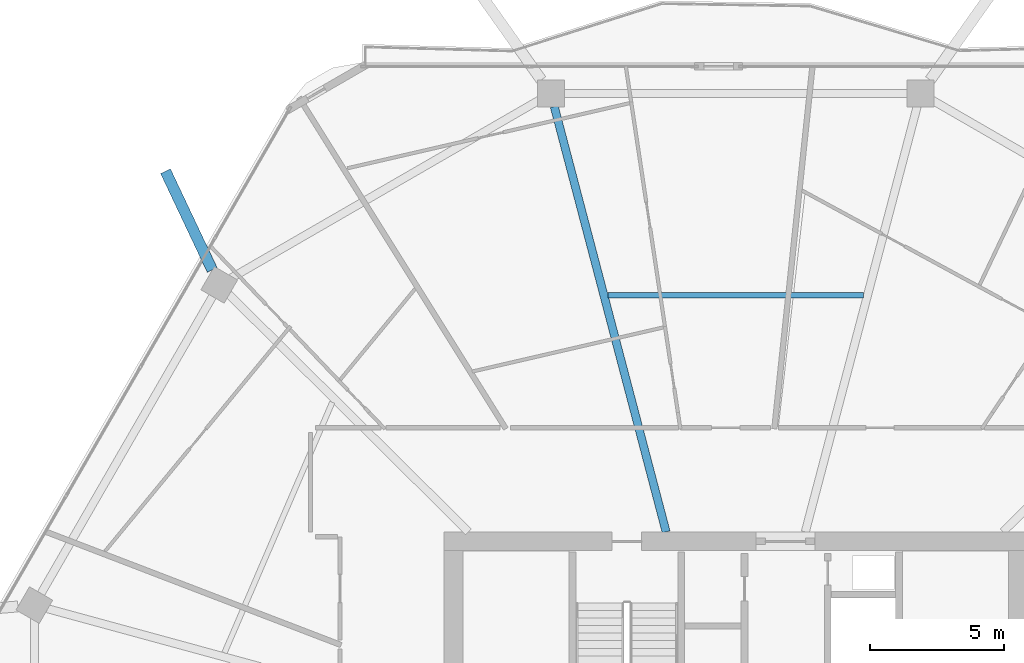
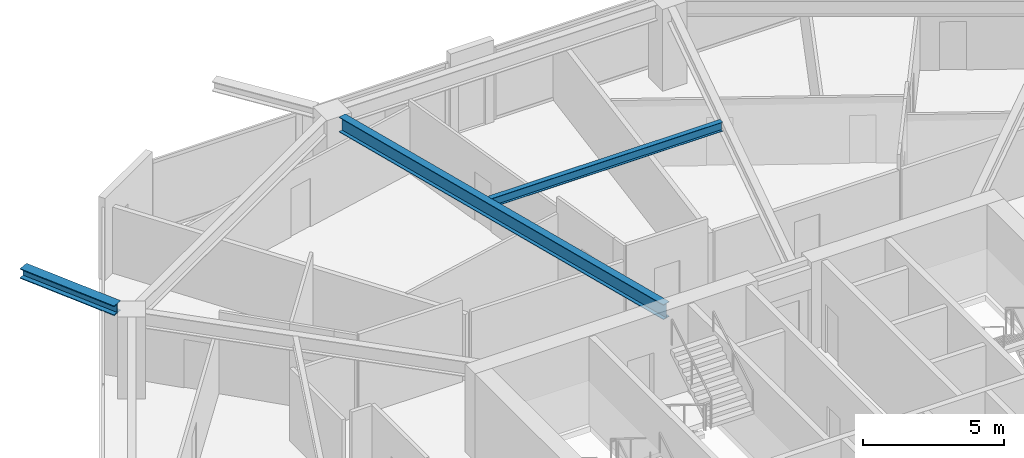
# One storey, part 12 of 27: 3 beams.
"""IFC4 building model written with IfcOpenShell, lengths in metres."""

from ifc_helpers import new_model, si_unit, direction, frame, origin, origin_2d, place, context, subcontext, project, spatial, i_section, extrude, material, material_profile, profile_set, type_object, element, save


model = new_model("IFC4")

# Units and contexts
model_context = context("Model", 3, precision=1e-05, world=origin(), true_north=direction((0.0, 1.0)))
body_context = subcontext(model_context, "Body", "Model", "MODEL_VIEW")
ifc_project = project(units=[si_unit("LENGTHUNIT", "METRE"), si_unit("AREAUNIT", "SQUARE_METRE"), si_unit("VOLUMEUNIT", "CUBIC_METRE"), si_unit("PLANEANGLEUNIT", "RADIAN"), si_unit("MASSUNIT", "GRAM", prefix="KILO")], contexts=[model_context])

# Site, building, storey
site_placement = place(None, origin())
site = spatial("IfcSite", under=ifc_project, at=site_placement, CompositionType="ELEMENT")
building_placement = place(site_placement, origin())
building = spatial("IfcBuilding", under=site, at=building_placement, Name="Zuhravey Tower", CompositionType="ELEMENT")
storey_placement = place(building_placement, frame((0.0, 0.0, 173.199951171875)))
storey = spatial("IfcBuildingStorey", under=building, at=storey_placement, Name="L43", CompositionType="ELEMENT", Elevation=173.199951171875)

# Beams
ifc_material_1 = material(Name="Steel SM460", Category="steel")
ifc_material_profile_1 = material_profile(ifc_material_1, i_section(OverallWidth=0.406982421875, OverallDepth=0.427978515625, WebThickness=0.02001953125, FlangeThickness=0.034912109375, at=origin_2d()), Name="H-428x407x20x35")
ifc_profile_set_1 = profile_set([ifc_material_profile_1], Name="Steel SM460")
beam_type_1 = type_object("IfcBeamType", Name="Exoskeleton Node Tie Beam H428x407", PredefinedType="BEAM", material=ifc_profile_set_1)
beam_1_placement = place(storey_placement, frame((16.512939453125, 51.60009765625, 3.3359375), z_axis=(-0.427371589923, 0.90407606103, 0.0), x_axis=(-0.90407606103, -0.427371589923, 0.0)))
element("IfcBeam", 1, at=beam_1_placement, inside=storey, type_object=beam_type_1, Name="L43 Exoskeleton Node Tie NT1-05", PredefinedType="BEAM", context=body_context, shape_type="SweptSolid", body=[
    extrude(i_section(OverallWidth=0.406982421875, OverallDepth=0.427978515625, WebThickness=0.02001953125, FlangeThickness=0.034912109375, at=origin_2d()), origin(), (0.0, 0.0, 1.0), 4.06787109375),
])
ifc_material_2 = material(Name="Steel SM355", Category="steel")
ifc_material_profile_2 = material_profile(ifc_material_2, i_section(OverallWidth=0.300048828125, OverallDepth=0.64990234375, WebThickness=0.012939453125, FlangeThickness=0.02197265625, at=origin_2d()), Name="H-650x300x13x22")
ifc_profile_set_2 = profile_set([ifc_material_profile_2], Name="Steel SM355")
beam_type_2 = type_object("IfcBeamType", Name="Radial Primary Girder H650x300", PredefinedType="BEAM", material=ifc_profile_set_2)
beam_2_placement = place(storey_placement, frame((33.4091796875, 41.85302734375, 3.22509765625), z_axis=(-0.254300244998, 0.967125320418, 0.0), x_axis=(-0.967125320418, -0.254300244998, 0.0)))
element("IfcBeam", 2, at=beam_2_placement, inside=storey, type_object=beam_type_2, Name="L43 RG2 BM-L43-RAD-04", PredefinedType="BEAM", context=body_context, shape_type="SweptSolid", body=[
    extrude(i_section(OverallWidth=0.300048828125, OverallDepth=0.64990234375, WebThickness=0.012939453125, FlangeThickness=0.02197265625, at=origin_2d()), origin(), (0.0, 0.0, 1.0), 16.371826171875),
])
ifc_material_profile_3 = material_profile(ifc_material_2, i_section(OverallWidth=0.199951171875, OverallDepth=0.39990234375, WebThickness=0.008056640625, FlangeThickness=0.012939453125, at=origin_2d()), Name="H-400x200x8x13")
ifc_profile_set_3 = profile_set([ifc_material_profile_3], Name="Steel SM355")
beam_type_3 = type_object("IfcBeamType", Name="Secondary Floor Joist H400x200", PredefinedType="JOIST", material=ifc_profile_set_3)
beam_3_placement = place(storey_placement, frame((40.754150390625, 50.665771484375, 3.35009765625), z_axis=(-1.0, 0.0, 0.0), x_axis=(0.0, -1.0, 0.0)))
element("IfcBeam", 3, at=beam_3_placement, inside=storey, type_object=beam_type_3, Name="L43 SJ2 BM-L43-SJ-03-1", PredefinedType="JOIST", context=body_context, shape_type="SweptSolid", body=[
    extrude(i_section(OverallWidth=0.199951171875, OverallDepth=0.39990234375, WebThickness=0.008056640625, FlangeThickness=0.012939453125, at=origin_2d()), origin(), (0.0, 0.0, 1.0), 9.50830078125),
])

save(model, "model.ifc")
